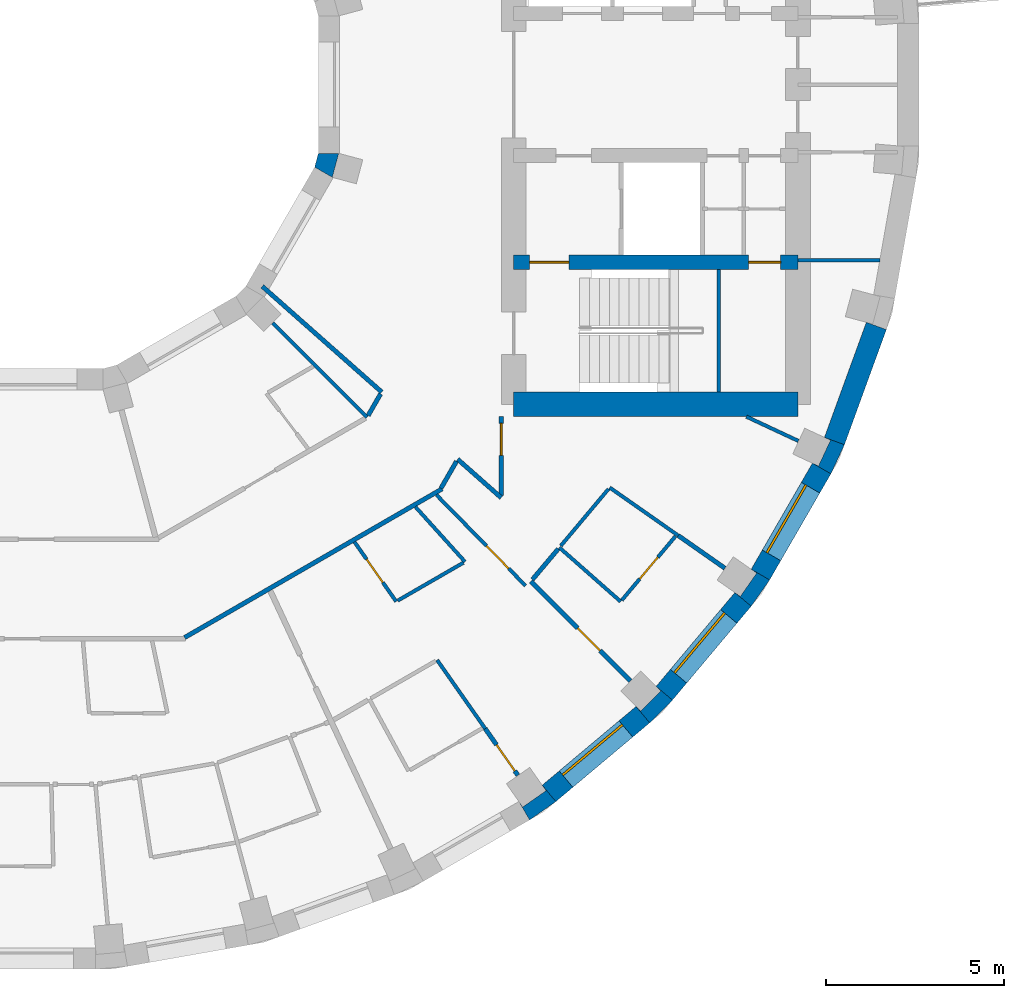
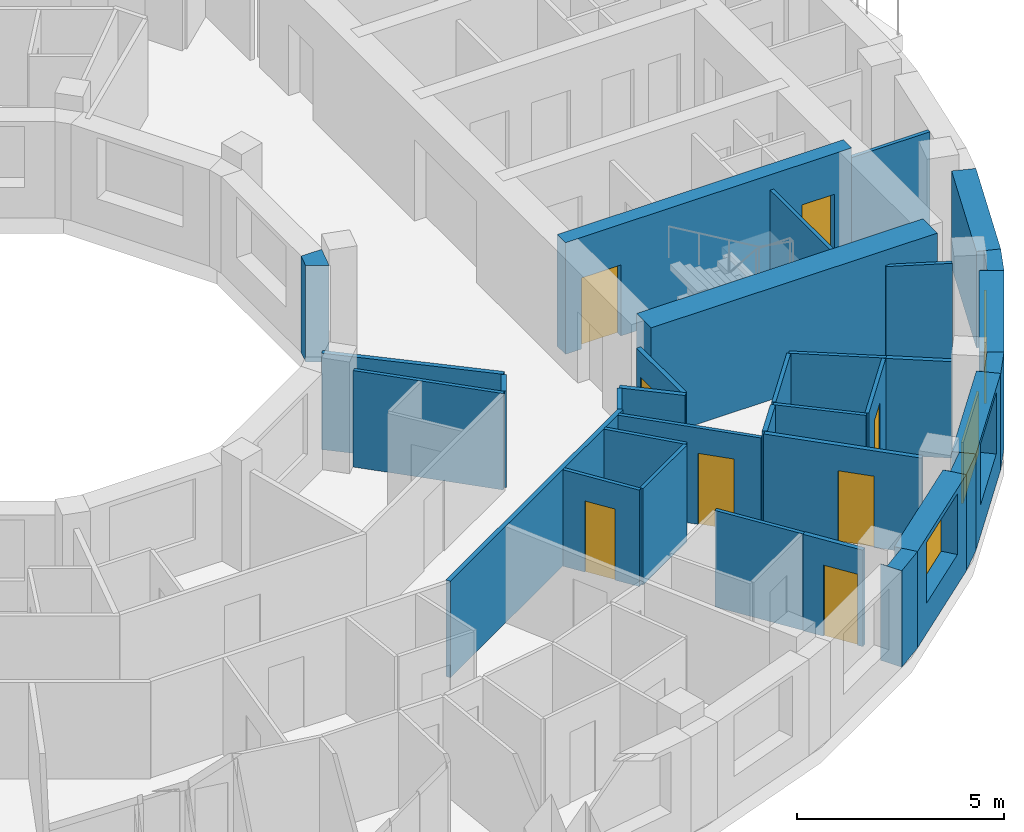
# One storey, part 8 of 15: 34 walls, 8 doors, 3 windows, 11 openings.
"""IFC4 building model written with IfcOpenShell, lengths in metres."""

from ifc_helpers import new_model, si_unit, direction, frame, frame_2d, origin, place, context, subcontext, project, spatial, polyline, rectangle, outline, extrude, material, layer, layer_set, type_object, element, fill, save


model = new_model("IFC4")

# Units and contexts
model_context = context("Model", 3, precision=1e-05, world=origin(), true_north=direction((0.0, 1.0)))
body_context = subcontext(model_context, "Body", "Model", "MODEL_VIEW")
ifc_project = project(units=[si_unit("LENGTHUNIT", "METRE"), si_unit("AREAUNIT", "SQUARE_METRE"), si_unit("VOLUMEUNIT", "CUBIC_METRE"), si_unit("PLANEANGLEUNIT", "RADIAN"), si_unit("MASSUNIT", "GRAM", prefix="KILO")], contexts=[model_context])

# Site, building, storey
site_placement = place(None, origin())
site = spatial("IfcSite", under=ifc_project, at=site_placement, CompositionType="ELEMENT")
building_placement = place(site_placement, origin())
building = spatial("IfcBuilding", under=site, at=building_placement, Name="Saqina Gate Tower", CompositionType="ELEMENT")
storey_placement = place(building_placement, frame((0.0, 0.0, 193.800048828125)))
storey = spatial("IfcBuildingStorey", under=building, at=storey_placement, Name="L55", CompositionType="ELEMENT", Elevation=193.800048828125)

# Walls
ifc_material_1 = material(Name="Brick masonry (buff)", Category="masonry")
wall_type_1 = type_object("IfcWallType", Name="BRICK PIER COPING BUFF", PredefinedType="SOLIDWALL", material=ifc_material_1)
wall_1_placement = place(storey_placement, origin())
element("IfcWall", 1, at=wall_1_placement, inside=storey, type_object=wall_type_1, Name="Pier cap L55 column 31", PredefinedType="SOLIDWALL", context=body_context, shape_type="SweptSolid", body=[
    extrude(outline(polyline([(13.9462890625, -20.705810546875), (14.687255859375, -20.18701171875), (14.301513671875, -19.727294921875), (14.408935546875, -19.880859375), (13.753662109375, -20.339599609375), (13.646240234375, -20.186279296875), (13.9462890625, -20.705810546875)])), origin(), (0.0, 0.0, 1.0), 2.849853515625),
])
wall_2_placement = place(storey_placement, origin())
element("IfcWall", 2, at=wall_2_placement, inside=storey, type_object=wall_type_1, Name="Pier cap L55 column 32", PredefinedType="SOLIDWALL", context=body_context, shape_type="SweptSolid", body=[
    extrude(outline(polyline([(17.969482421875, -17.329833984375), (17.510009765625, -16.944091796875), (17.642333984375, -17.07666015625), (17.07666015625, -17.642333984375), (16.944091796875, -17.510009765625), (17.329833984375, -17.969482421875), (17.969482421875, -17.329833984375)])), origin(), (0.0, 0.0, 1.0), 2.849853515625),
])
wall_3_placement = place(storey_placement, origin())
element("IfcWall", 3, at=wall_3_placement, inside=storey, type_object=wall_type_1, Name="Pier cap L55 column 33", PredefinedType="SOLIDWALL", context=body_context, shape_type="SweptSolid", body=[
    extrude(outline(polyline([(20.18701171875, -14.687255859375), (20.705810546875, -13.9462890625), (20.186279296875, -13.646240234375), (20.339599609375, -13.753662109375), (19.880859375, -14.408935546875), (19.727294921875, -14.301513671875), (20.18701171875, -14.687255859375)])), origin(), (0.0, 0.0, 1.0), 2.849853515625),
])
wall_4_placement = place(storey_placement, origin())
element("IfcWall", 4, at=wall_4_placement, inside=storey, type_object=wall_type_1, Name="Pier cap L55 column 34", PredefinedType="SOLIDWALL", context=body_context, shape_type="SweptSolid", body=[
    extrude(outline(polyline([(22.81298828125, -10.138916015625), (22.249267578125, -9.93359375), (22.4189453125, -10.0126953125), (22.080810546875, -10.73779296875), (21.9111328125, -10.65869140625), (22.4306640625, -10.958740234375), (22.81298828125, -10.138916015625)])), origin(), (0.0, 0.0, 1.0), 2.849853515625),
])
ifc_material_2 = material(Name="Gypsum board on steel studs", Category="steel")
ifc_layer_1 = layer(ifc_material_2, 0.10009765625)
ifc_layer_set_1 = layer_set([ifc_layer_1], Name="CORE PARTITION")
wall_type_2 = type_object("IfcWallType", Name="CORE PARTITION", PredefinedType="PARTITIONING", material=ifc_layer_set_1)
wall_5_placement = place(storey_placement, frame((21.5, -4.949951171875, 0.0), z_axis=(0.0, 0.0, 1.0), x_axis=(1.0, 0.0, 0.0)))
element("IfcWall", 5, at=wall_5_placement, inside=storey, type_object=wall_type_2, Name="L55-CP-E03", PredefinedType="PARTITIONING", context=body_context, shape_type="SweptSolid", body=[
    extrude(rectangle(XDim=2.306884765625, YDim=0.10009765625, at=frame_2d((1.1533203125, 0.0))), origin(), (0.0, 0.0, 1.0), 2.849853515625),
])

# Wall, opening, window
ifc_material_3 = material(Name="Brick masonry (buff)", Category="masonry")
ifc_layer_2 = layer(ifc_material_3, 0.60009765625)
ifc_layer_set_2 = layer_set([ifc_layer_2], Name="FW-BRICK-BUFF")
wall_type_3 = type_object("IfcWallType", Name="FW-BRICK-BUFF", PredefinedType="SOLIDWALL", material=ifc_layer_set_2)
wall_6_placement = place(storey_placement, frame((14.494384765625, -19.95703125, 0.0), z_axis=(0.0, 0.0, 1.0), x_axis=(0.766058884809, 0.642770398358, 0.0)))
wall_6 = element("IfcWall", 6, at=wall_6_placement, inside=storey, type_object=wall_type_3, Name="Facade wall L55 facet 31", PredefinedType="SOLIDWALL", context=body_context, shape_type="SweptSolid", body=[
    extrude(rectangle(XDim=3.449462890625, YDim=0.60009765625, at=frame_2d((1.724609375, 0.0))), origin(), (0.0, 0.0, 1.0), 2.849853515625),
])
opening_1_placement = place(wall_6_placement, frame((0.625, 0.0, 0.89990234375)))
opening_1 = element("IfcOpeningElement", 7, at=opening_1_placement, cuts=wall_6, Name="Opening G16-W20", PredefinedType="OPENING", context=body_context, shape_type="SweptSolid", body=[
    extrude(rectangle(XDim=2.199951171875, YDim=1.800048828125, at=frame_2d((1.10009765625, 0.89990234375))), frame((0.0, 0.31201171875, 0.0), z_axis=(0.0, -1.0, 0.0), x_axis=(1.0, 0.0, 0.0)), (0.0, 0.0, 1.0), 0.6240234375),
])
ifc_material_4 = material(Name="Aluminium glazing", Category="aluminium")
window_type = type_object("IfcWindowType", Name="WN-C", PartitioningType="SINGLE_PANEL", PredefinedType="WINDOW", material=ifc_material_4)
window_1_placement = place(opening_1_placement, origin())
window_1 = element("IfcWindow", 8, at=window_1_placement, inside=storey, type_object=window_type, Name="Window L55 facet 31", OverallHeight=1.800048828125, OverallWidth=2.199951171875, PartitioningType="SINGLE_PANEL", PredefinedType="WINDOW", context=body_context, shape_type="SweptSolid", body=[
    extrude(rectangle(XDim=2.199951171875, YDim=1.800048828125, at=frame_2d((1.10009765625, 0.89990234375))), frame((0.0, 0.179931640625, 0.0), z_axis=(0.0, -1.0, 0.0), x_axis=(1.0, 0.0, 0.0)), (0.0, 0.0, 1.0), 0.06005859375),
])
fill(opening_1, window_1)

wall_7_placement = place(storey_placement, frame((17.73974609375, -17.136962890625, 0.0), z_axis=(0.0, 0.0, 1.0), x_axis=(0.642770398358, 0.766058884809, 0.0)))
wall_7 = element("IfcWall", 9, at=wall_7_placement, inside=storey, type_object=wall_type_3, Name="Facade wall L55 facet 32", PredefinedType="SOLIDWALL", context=body_context, shape_type="SweptSolid", body=[
    extrude(rectangle(XDim=3.449462890625, YDim=0.60009765625, at=frame_2d((1.724609375, 0.0))), origin(), (0.0, 0.0, 1.0), 2.849853515625),
])
opening_2_placement = place(wall_7_placement, frame((0.625, 0.0, 0.89990234375)))
opening_2 = element("IfcOpeningElement", 10, at=opening_2_placement, cuts=wall_7, Name="Opening G16-W21", PredefinedType="OPENING", context=body_context, shape_type="SweptSolid", body=[
    extrude(rectangle(XDim=2.199951171875, YDim=1.800048828125, at=frame_2d((1.10009765625, 0.89990234375))), frame((0.0, 0.31201171875, 0.0), z_axis=(0.0, -1.0, 0.0), x_axis=(1.0, 0.0, 0.0)), (0.0, 0.0, 1.0), 0.6240234375),
])
window_2_placement = place(opening_2_placement, origin())
window_2 = element("IfcWindow", 11, at=window_2_placement, inside=storey, type_object=window_type, Name="Window L55 facet 32", OverallHeight=1.800048828125, OverallWidth=2.199951171875, PartitioningType="SINGLE_PANEL", PredefinedType="WINDOW", context=body_context, shape_type="SweptSolid", body=[
    extrude(rectangle(XDim=2.199951171875, YDim=1.800048828125, at=frame_2d((1.10009765625, 0.89990234375))), frame((0.0, 0.179931640625, 0.0), z_axis=(0.0, -1.0, 0.0), x_axis=(1.0, 0.0, 0.0)), (0.0, 0.0, 1.0), 0.06005859375),
])
fill(opening_2, window_2)

wall_8_placement = place(storey_placement, frame((20.446044921875, -13.796142578125, 0.0), z_axis=(0.0, 0.0, 1.0), x_axis=(0.499998129301, 0.86602648383, 0.0)))
wall_8 = element("IfcWall", 12, at=wall_8_placement, inside=storey, type_object=wall_type_3, Name="Facade wall L55 facet 33", PredefinedType="SOLIDWALL", context=body_context, shape_type="SweptSolid", body=[
    extrude(rectangle(XDim=3.44970703125, YDim=0.60009765625, at=frame_2d((1.724853515625, 0.0))), origin(), (0.0, 0.0, 1.0), 2.849853515625),
])
opening_3_placement = place(wall_8_placement, frame((0.625, 0.0, 0.89990234375)))
opening_3 = element("IfcOpeningElement", 13, at=opening_3_placement, cuts=wall_8, Name="Opening G16-W22", PredefinedType="OPENING", context=body_context, shape_type="SweptSolid", body=[
    extrude(rectangle(XDim=2.199951171875, YDim=1.800048828125, at=frame_2d((1.10009765625, 0.89990234375))), frame((0.0, 0.31201171875, 0.0), z_axis=(0.0, -1.0, 0.0), x_axis=(1.0, 0.0, 0.0)), (0.0, 0.0, 1.0), 0.6240234375),
])
window_3_placement = place(opening_3_placement, origin())
window_3 = element("IfcWindow", 14, at=window_3_placement, inside=storey, type_object=window_type, Name="Window L55 facet 33", OverallHeight=1.800048828125, OverallWidth=2.199951171875, PartitioningType="SINGLE_PANEL", PredefinedType="WINDOW", context=body_context, shape_type="SweptSolid", body=[
    extrude(rectangle(XDim=2.199951171875, YDim=1.800048828125, at=frame_2d((1.10009765625, 0.89990234375))), frame((0.0, 0.179931640625, 0.0), z_axis=(0.0, -1.0, 0.0), x_axis=(1.0, 0.0, 0.0)), (0.0, 0.0, 1.0), 0.06005859375),
])
fill(opening_3, window_3)

# Walls
ifc_material_5 = material(Name="Glazed ceramic tile", Category="ceramic")
ifc_layer_3 = layer(ifc_material_5, 0.60009765625)
ifc_layer_set_3 = layer_set([ifc_layer_3], Name="FW-TILE")
wall_type_4 = type_object("IfcWallType", Name="FW-TILE", PredefinedType="SOLIDWALL", material=ifc_layer_set_3)
wall_9_placement = place(storey_placement, frame((22.531005859375, -10.0361328125, 0.0), z_axis=(0.0, 0.0, 1.0), x_axis=(0.342032843455, 0.93968799822, 0.0)))
element("IfcWall", 15, at=wall_9_placement, inside=storey, type_object=wall_type_4, Name="Facade wall L55 facet 34", PredefinedType="SOLIDWALL", context=body_context, shape_type="SweptSolid", body=[
    extrude(rectangle(XDim=3.44970703125, YDim=0.60009765625, at=frame_2d((1.724853515625, 0.0))), origin(), (0.0, 0.0, 1.0), 2.849853515625),
])
ifc_material_6 = material(Name="Gypsum board on steel studs, 100 mm", Category="steel")
ifc_layer_4 = layer(ifc_material_6, 0.10009765625)
ifc_layer_set_4 = layer_set([ifc_layer_4], Name="PARTITION 100")
wall_type_5 = type_object("IfcWallType", Name="PARTITION 100", PredefinedType="PARTITIONING", material=ifc_layer_set_4)
wall_10_placement = place(storey_placement, frame((11.344970703125, -16.202880859375, 0.0), z_axis=(0.0, 0.0, 1.0), x_axis=(0.573823443789, -0.818979032307, 0.0)))
element("IfcWall", 16, at=wall_10_placement, inside=storey, type_object=wall_type_5, Name="PARTITION PW3-17", PredefinedType="PARTITIONING", context=body_context, shape_type="SweptSolid", body=[
    extrude(rectangle(XDim=2.359130859375, YDim=0.10009765625, at=frame_2d((1.1796875, 0.0))), origin(), (0.0, 0.0, 1.0), 2.849853515625),
])

# Wall, opening, door
wall_11_placement = place(storey_placement, frame((9.018798828125, -12.8798828125, 0.0), z_axis=(0.0, 0.0, 1.0), x_axis=(0.573550536535, -0.819170178925, 0.0)))
wall_11 = element("IfcWall", 17, at=wall_11_placement, inside=storey, type_object=wall_type_5, Name="PARTITION PW3-19", PredefinedType="PARTITIONING", context=body_context, shape_type="SweptSolid", body=[
    extrude(rectangle(XDim=2.043701171875, YDim=0.10009765625, at=frame_2d((1.02197265625, 0.0))), origin(), (0.0, 0.0, 1.0), 2.849853515625),
])
opening_4_placement = place(wall_11_placement, frame((0.589599609375, 0.0, 0.0)))
opening_4 = element("IfcOpeningElement", 18, at=opening_4_placement, cuts=wall_11, Name="Opening G16-D56", PredefinedType="OPENING", context=body_context, shape_type="SweptSolid", body=[
    extrude(rectangle(XDim=0.800048828125, YDim=2.10009765625, at=frame_2d((0.39990234375, 1.050048828125))), frame((0.0, 0.06201171875, 0.0), z_axis=(0.0, -1.0, 0.0), x_axis=(1.0, 0.0, 0.0)), (0.0, 0.0, 1.0), 0.1240234375),
])
ifc_material_7 = material(Name="Timber door leaf, 800 mm", Category="wood")
door_type_1 = type_object("IfcDoorType", Name="DOOR 800 TIMBER", OperationType="SINGLE_SWING_LEFT", PredefinedType="DOOR", material=ifc_material_7)
door_1_placement = place(opening_4_placement, frame((0.800048828125, 0.0, 0.0), z_axis=(0.0, 0.0, 1.0), x_axis=(-1.0, 0.0, 0.0)))
door_1 = element("IfcDoor", 19, at=door_1_placement, inside=storey, type_object=door_type_1, Name="DOOR G16-D56", OperationType="SINGLE_SWING_RIGHT", OverallHeight=2.10009765625, OverallWidth=0.800048828125, PredefinedType="DOOR", context=body_context, shape_type="SweptSolid", body=[
    extrude(rectangle(XDim=0.800048828125, YDim=2.10009765625, at=frame_2d((0.39990234375, 1.050048828125))), frame((0.0, 0.02490234375, 0.0), z_axis=(0.0, -1.0, 0.0), x_axis=(1.0, 0.0, 0.0)), (0.0, 0.0, 1.0), 0.050048828125),
])
fill(opening_4, door_1)

# Wall
wall_12_placement = place(storey_placement, frame((10.732177734375, -11.8876953125, 0.0), z_axis=(0.0, 0.0, 1.0), x_axis=(0.670051109138, -0.742314967613, 0.0)))
element("IfcWall", 20, at=wall_12_placement, inside=storey, type_object=wall_type_5, Name="PARTITION PW3-25", PredefinedType="PARTITIONING", context=body_context, shape_type="SweptSolid", body=[
    extrude(rectangle(XDim=2.08447265625, YDim=0.10009765625, at=frame_2d((1.042236328125, 0.0))), origin(), (0.0, 0.0, 1.0), 2.849853515625),
])

# Wall, opening, door
wall_13_placement = place(storey_placement, frame((11.320556640625, -11.54736328125, 0.0), z_axis=(0.0, 0.0, 1.0), x_axis=(0.700209333058, -0.713937595241, 0.0)))
wall_13 = element("IfcWall", 21, at=wall_13_placement, inside=storey, type_object=wall_type_5, Name="PARTITION PW3-26", PredefinedType="PARTITIONING", context=body_context, shape_type="SweptSolid", body=[
    extrude(rectangle(XDim=3.59228515625, YDim=0.10009765625, at=frame_2d((1.796142578125, 0.0))), origin(), (0.0, 0.0, 1.0), 2.849853515625),
])
opening_5_placement = place(wall_13_placement, frame((2.01416015625, 0.0, 0.0)))
opening_5 = element("IfcOpeningElement", 22, at=opening_5_placement, cuts=wall_13, Name="Opening G16-D59", PredefinedType="OPENING", context=body_context, shape_type="SweptSolid", body=[
    extrude(rectangle(XDim=0.89990234375, YDim=2.10009765625, at=frame_2d((0.449951171875, 1.050048828125))), frame((0.0, 0.06201171875, 0.0), z_axis=(0.0, -1.0, 0.0), x_axis=(1.0, 0.0, 0.0)), (0.0, 0.0, 1.0), 0.1240234375),
])
ifc_material_8 = material(Name="Timber door leaf, 900 mm", Category="wood")
door_type_2 = type_object("IfcDoorType", Name="DOOR 900 TIMBER", OperationType="SINGLE_SWING_LEFT", PredefinedType="DOOR", material=ifc_material_8)
door_2_placement = place(opening_5_placement, frame((0.89990234375, 0.0, 0.0), z_axis=(0.0, 0.0, 1.0), x_axis=(-1.0, 0.0, 0.0)))
door_2 = element("IfcDoor", 23, at=door_2_placement, inside=storey, type_object=door_type_2, Name="DOOR G16-D59", OperationType="SINGLE_SWING_RIGHT", OverallHeight=2.10009765625, OverallWidth=0.89990234375, PredefinedType="DOOR", context=body_context, shape_type="SweptSolid", body=[
    extrude(rectangle(XDim=0.89990234375, YDim=2.10009765625, at=frame_2d((0.449951171875, 1.050048828125))), frame((0.0, 0.02490234375, 0.0), z_axis=(0.0, -1.0, 0.0), x_axis=(1.0, 0.0, 0.0)), (0.0, 0.0, 1.0), 0.050048828125),
])
fill(opening_5, door_2)

# Walls
wall_14_placement = place(storey_placement, frame((6.7119140625, -6.7119140625, 0.0), z_axis=(0.0, 0.0, 1.0), x_axis=(0.707106781187, -0.707106781187, 0.0)))
element("IfcWall", 24, at=wall_14_placement, inside=storey, type_object=wall_type_5, Name="PARTITION PW3-28", PredefinedType="PARTITIONING", context=body_context, shape_type="SweptSolid", body=[
    extrude(rectangle(XDim=3.75927734375, YDim=0.10009765625, at=frame_2d((1.879638671875, 0.0))), origin(), (0.0, 0.0, 1.0), 2.849853515625),
])
wall_15_placement = place(storey_placement, frame((14.785888671875, -13.033935546875, 0.0), z_axis=(0.0, 0.0, 1.0), x_axis=(0.750060726962, -0.661368963491, 0.0)))
element("IfcWall", 25, at=wall_15_placement, inside=storey, type_object=wall_type_5, Name="PARTITION PW3-30", PredefinedType="PARTITIONING", context=body_context, shape_type="SweptSolid", body=[
    extrude(rectangle(XDim=2.30126953125, YDim=0.10009765625, at=frame_2d((1.150634765625, 0.0))), origin(), (0.0, 0.0, 1.0), 2.849853515625),
])
wall_16_placement = place(storey_placement, frame((16.202392578125, -11.345703125, 0.0), z_axis=(0.0, 0.0, 1.0), x_axis=(0.81919302467, -0.573517905851, 0.0)))
element("IfcWall", 26, at=wall_16_placement, inside=storey, type_object=wall_type_5, Name="PARTITION PW3-36", PredefinedType="PARTITIONING", context=body_context, shape_type="SweptSolid", body=[
    extrude(rectangle(XDim=2.359130859375, YDim=0.10009765625, at=frame_2d((1.1796875, 0.0))), origin(), (0.0, 0.0, 1.0), 2.849853515625),
])
wall_17_placement = place(storey_placement, frame((20.052978515625, -9.35009765625, 0.0), z_axis=(0.0, 0.0, 1.0), x_axis=(0.906055596822, -0.423158664648, 0.0)))
element("IfcWall", 27, at=wall_17_placement, inside=storey, type_object=wall_type_5, Name="PARTITION PW3-42", PredefinedType="PARTITIONING", context=body_context, shape_type="SweptSolid", body=[
    extrude(rectangle(XDim=1.6142578125, YDim=0.10009765625, at=frame_2d((0.80712890625, 0.0))), origin(), (0.0, 0.0, 1.0), 2.849853515625),
])
wall_18_placement = place(storey_placement, frame((10.236083984375, -14.528076171875, 0.0), z_axis=(0.0, 0.0, 1.0), x_axis=(0.865995020583, 0.500052621557, 0.0)))
element("IfcWall", 28, at=wall_18_placement, inside=storey, type_object=wall_type_5, Name="PARTITION PW3-69", PredefinedType="PARTITIONING", context=body_context, shape_type="SweptSolid", body=[
    extrude(rectangle(XDim=2.133544921875, YDim=0.10009765625, at=frame_2d((1.06689453125, 0.0))), origin(), (0.0, 0.0, 1.0), 2.849853515625),
])

# Wall, opening, door
wall_19_placement = place(storey_placement, frame((16.544189453125, -14.517578125, 0.0), z_axis=(0.0, 0.0, 1.0), x_axis=(0.642675237257, 0.76613872074, 0.0)))
wall_19 = element("IfcWall", 29, at=wall_19_placement, inside=storey, type_object=wall_type_5, Name="PARTITION PW3-81", PredefinedType="PARTITIONING", context=body_context, shape_type="SweptSolid", body=[
    extrude(rectangle(XDim=2.34912109375, YDim=0.10009765625, at=frame_2d((1.174560546875, 0.0))), origin(), (0.0, 0.0, 1.0), 2.849853515625),
])
opening_6_placement = place(wall_19_placement, frame((0.78076171875, 0.0, 0.0)))
opening_6 = element("IfcOpeningElement", 30, at=opening_6_placement, cuts=wall_19, Name="Opening G16-D61", PredefinedType="OPENING", context=body_context, shape_type="SweptSolid", body=[
    extrude(rectangle(XDim=0.800048828125, YDim=2.10009765625, at=frame_2d((0.39990234375, 1.050048828125))), frame((0.0, 0.06201171875, 0.0), z_axis=(0.0, -1.0, 0.0), x_axis=(1.0, 0.0, 0.0)), (0.0, 0.0, 1.0), 0.1240234375),
])
door_3_placement = place(opening_6_placement, frame((0.800048828125, 0.0, 0.0), z_axis=(0.0, 0.0, 1.0), x_axis=(-1.0, 0.0, 0.0)))
door_3 = element("IfcDoor", 31, at=door_3_placement, inside=storey, type_object=door_type_1, Name="DOOR G16-D61", OperationType="SINGLE_SWING_LEFT", OverallHeight=2.10009765625, OverallWidth=0.800048828125, PredefinedType="DOOR", context=body_context, shape_type="SweptSolid", body=[
    extrude(rectangle(XDim=0.800048828125, YDim=2.10009765625, at=frame_2d((0.39990234375, 1.050048828125))), frame((0.0, 0.02490234375, 0.0), z_axis=(0.0, -1.0, 0.0), x_axis=(1.0, 0.0, 0.0)), (0.0, 0.0, 1.0), 0.050048828125),
])
fill(opening_6, door_3)

# Wall
wall_20_placement = place(storey_placement, frame((14.826171875, -12.986083984375, 0.0), z_axis=(0.0, 0.0, 1.0), x_axis=(0.642720670629, 0.766100606674, 0.0)))
element("IfcWall", 32, at=wall_20_placement, inside=storey, type_object=wall_type_5, Name="PARTITION PW3-82", PredefinedType="PARTITIONING", context=body_context, shape_type="SweptSolid", body=[
    extrude(rectangle(XDim=2.089599609375, YDim=0.10009765625, at=frame_2d((1.044921875, 0.0))), origin(), (0.0, 0.0, 1.0), 2.849853515625),
])

# Wall, opening, door
ifc_material_9 = material(Name="Gypsum board on steel studs, 125 mm, fire rated", Category="steel")
ifc_layer_5 = layer(ifc_material_9, 0.125)
ifc_layer_set_5 = layer_set([ifc_layer_5], Name="PARTITION EI 30 125")
wall_type_6 = type_object("IfcWallType", Name="PARTITION EI 30 125", PredefinedType="PARTITIONING", material=ifc_layer_set_5)
wall_21_placement = place(storey_placement, frame((12.69873046875, -18.135009765625, 0.0), z_axis=(0.0, 0.0, 1.0), x_axis=(0.57352374907, -0.819188933795, 0.0)))
wall_21 = element("IfcWall", 33, at=wall_21_placement, inside=storey, type_object=wall_type_6, Name="PARTITION PW1-05", PredefinedType="PARTITIONING", context=body_context, shape_type="SweptSolid", body=[
    extrude(rectangle(XDim=1.60107421875, YDim=0.125, at=frame_2d((0.800537109375, 0.0))), origin(), (0.0, 0.0, 1.0), 2.849853515625),
])
opening_7_placement = place(wall_21_placement, frame((0.552734375, 0.0, 0.0)))
opening_7 = element("IfcOpeningElement", 34, at=opening_7_placement, cuts=wall_21, Name="Opening G16-D57", PredefinedType="OPENING", context=body_context, shape_type="SweptSolid", body=[
    extrude(rectangle(XDim=0.89990234375, YDim=2.10009765625, at=frame_2d((0.449951171875, 1.050048828125))), frame((0.0, 0.074462890625, 0.0), z_axis=(0.0, -1.0, 0.0), x_axis=(1.0, 0.0, 0.0)), (0.0, 0.0, 1.0), 0.14892578125),
])
ifc_material_10 = material(Name="Fire door leaf EI 30, 900 mm")
door_type_3 = type_object("IfcDoorType", Name="DOOR 900 EI 30", OperationType="SINGLE_SWING_LEFT", PredefinedType="DOOR", material=ifc_material_10)
door_4_placement = place(opening_7_placement, origin())
door_4 = element("IfcDoor", 35, at=door_4_placement, inside=storey, type_object=door_type_3, Name="DOOR G16-D57", OperationType="SINGLE_SWING_RIGHT", OverallHeight=2.10009765625, OverallWidth=0.89990234375, PredefinedType="DOOR", context=body_context, shape_type="SweptSolid", body=[
    extrude(rectangle(XDim=0.89990234375, YDim=2.10009765625, at=frame_2d((0.449951171875, 1.050048828125))), frame((0.0, 0.02490234375, 0.0), z_axis=(0.0, -1.0, 0.0), x_axis=(1.0, 0.0, 0.0)), (0.0, 0.0, 1.0), 0.050048828125),
])
fill(opening_7, door_4)

wall_22_placement = place(storey_placement, frame((13.987060546875, -13.987060546875, 0.0), z_axis=(0.0, 0.0, 1.0), x_axis=(0.707106781187, -0.707106781187, 0.0)))
wall_22 = element("IfcWall", 36, at=wall_22_placement, inside=storey, type_object=wall_type_6, Name="PARTITION PW1-06", PredefinedType="PARTITIONING", context=body_context, shape_type="SweptSolid", body=[
    extrude(rectangle(XDim=3.959228515625, YDim=0.125, at=frame_2d((1.9794921875, 0.0))), origin(), (0.0, 0.0, 1.0), 2.849853515625),
])
opening_8_placement = place(wall_22_placement, frame((1.858642578125, 0.0, 0.0)))
opening_8 = element("IfcOpeningElement", 37, at=opening_8_placement, cuts=wall_22, Name="Opening G16-D60", PredefinedType="OPENING", context=body_context, shape_type="SweptSolid", body=[
    extrude(rectangle(XDim=0.89990234375, YDim=2.10009765625, at=frame_2d((0.449951171875, 1.050048828125))), frame((0.0, 0.074462890625, 0.0), z_axis=(0.0, -1.0, 0.0), x_axis=(1.0, 0.0, 0.0)), (0.0, 0.0, 1.0), 0.14892578125),
])
door_5_placement = place(opening_8_placement, frame((0.89990234375, 0.0, 0.0), z_axis=(0.0, 0.0, 1.0), x_axis=(-1.0, 0.0, 0.0)))
door_5 = element("IfcDoor", 38, at=door_5_placement, inside=storey, type_object=door_type_3, Name="DOOR G16-D60", OperationType="SINGLE_SWING_LEFT", OverallHeight=2.10009765625, OverallWidth=0.89990234375, PredefinedType="DOOR", context=body_context, shape_type="SweptSolid", body=[
    extrude(rectangle(XDim=0.89990234375, YDim=2.10009765625, at=frame_2d((0.449951171875, 1.050048828125))), frame((0.0, 0.02490234375, 0.0), z_axis=(0.0, -1.0, 0.0), x_axis=(1.0, 0.0, 0.0)), (0.0, 0.0, 1.0), 0.050048828125),
])
fill(opening_8, door_5)

# Walls
wall_23_placement = place(storey_placement, frame((11.923095703125, -10.549072265625, 0.0), z_axis=(0.0, 0.0, 1.0), x_axis=(0.749253207289, -0.662283648724, 0.0)))
element("IfcWall", 39, at=wall_23_placement, inside=storey, type_object=wall_type_6, Name="PARTITION PW1-07", PredefinedType="PARTITIONING", context=body_context, shape_type="SweptSolid", body=[
    extrude(rectangle(XDim=1.6337890625, YDim=0.125, at=frame_2d((0.81689453125, 0.0))), origin(), (0.0, 0.0, 1.0), 2.849853515625),
])
wall_24_placement = place(storey_placement, frame((6.419921875, -5.679931640625, 0.0), z_axis=(0.0, 0.0, 1.0), x_axis=(0.748958163245, -0.662617287511, 0.0)))
element("IfcWall", 40, at=wall_24_placement, inside=storey, type_object=wall_type_6, Name="PARTITION PW1-10", PredefinedType="PARTITIONING", context=body_context, shape_type="SweptSolid", body=[
    extrude(rectangle(XDim=4.490234375, YDim=0.125, at=frame_2d((2.2451171875, 0.0))), origin(), (0.0, 0.0, 1.0), 2.849853515625),
])
wall_25_placement = place(storey_placement, frame((18.135009765625, -12.69873046875, 0.0), z_axis=(0.0, 0.0, 1.0), x_axis=(0.819188933795, -0.57352374907, 0.0)))
element("IfcWall", 41, at=wall_25_placement, inside=storey, type_object=wall_type_6, Name="PARTITION PW1-12", PredefinedType="PARTITIONING", context=body_context, shape_type="SweptSolid", body=[
    extrude(rectangle(XDim=1.60107421875, YDim=0.125, at=frame_2d((0.800537109375, 0.0))), origin(), (0.0, 0.0, 1.0), 2.849853515625),
])
wall_26_placement = place(storey_placement, frame((4.234130859375, -15.56884765625, 0.0), z_axis=(0.0, 0.0, 1.0), x_axis=(0.866024799292, 0.50000104701, 0.0)))
element("IfcWall", 42, at=wall_26_placement, inside=storey, type_object=wall_type_6, Name="PARTITION PW1-33", PredefinedType="PARTITIONING", context=body_context, shape_type="SweptSolid", body=[
    extrude(rectangle(XDim=8.36962890625, YDim=0.125, at=frame_2d((4.184814453125, 0.0))), origin(), (0.0, 0.0, 1.0), 2.849853515625),
])
wall_27_placement = place(storey_placement, frame((14.026123046875, -13.9365234375, 0.0), z_axis=(0.0, 0.0, 1.0), x_axis=(0.644129091811, 0.764916801412, 0.0)))
element("IfcWall", 43, at=wall_27_placement, inside=storey, type_object=wall_type_6, Name="PARTITION PW1-43", PredefinedType="PARTITIONING", context=body_context, shape_type="SweptSolid", body=[
    extrude(rectangle(XDim=1.1298828125, YDim=0.125, at=frame_2d((0.56494140625, 0.0))), origin(), (0.0, 0.0, 1.0), 2.849853515625),
])
wall_28_placement = place(storey_placement, frame((11.451171875, -11.365966796875, 0.0), z_axis=(0.0, 0.0, 1.0), x_axis=(0.500018690203, 0.866014612722, 0.0)))
element("IfcWall", 44, at=wall_28_placement, inside=storey, type_object=wall_type_6, Name="PARTITION PW1-46", PredefinedType="PARTITIONING", context=body_context, shape_type="SweptSolid", body=[
    extrude(rectangle(XDim=0.8798828125, YDim=0.125, at=frame_2d((0.43994140625, 0.0))), origin(), (0.0, 0.0, 1.0), 2.849853515625),
])
wall_29_placement = place(storey_placement, frame((9.4013671875, -9.31591796875, 0.0), z_axis=(0.0, 0.0, 1.0), x_axis=(0.500074377092, 0.865982457891, 0.0)))
element("IfcWall", 45, at=wall_29_placement, inside=storey, type_object=wall_type_6, Name="PARTITION PW1-47", PredefinedType="PARTITIONING", context=body_context, shape_type="SweptSolid", body=[
    extrude(rectangle(XDim=0.70068359375, YDim=0.125, at=frame_2d((0.350341796875, 0.0))), origin(), (0.0, 0.0, 1.0), 2.849853515625),
])

# Wall, opening, door
wall_30_placement = place(storey_placement, frame((13.14990234375, -11.5673828125, 0.0), z_axis=(0.0, 0.0, 1.0), x_axis=(0.0, 1.0, 0.0)))
wall_30 = element("IfcWall", 46, at=wall_30_placement, inside=storey, type_object=wall_type_6, Name="PARTITION PW1-50", PredefinedType="PARTITIONING", context=body_context, shape_type="SweptSolid", body=[
    extrude(rectangle(XDim=2.21630859375, YDim=0.125, at=frame_2d((1.108154296875, 0.0))), origin(), (0.0, 0.0, 1.0), 2.849853515625),
])
opening_9_placement = place(wall_30_placement, frame((1.126953125, 0.0, 0.0)))
opening_9 = element("IfcOpeningElement", 47, at=opening_9_placement, cuts=wall_30, Name="Opening G16-D62", PredefinedType="OPENING", context=body_context, shape_type="SweptSolid", body=[
    extrude(rectangle(XDim=0.89990234375, YDim=2.10009765625, at=frame_2d((0.449951171875, 1.050048828125))), frame((0.0, 0.074462890625, 0.0), z_axis=(0.0, -1.0, 0.0), x_axis=(1.0, 0.0, 0.0)), (0.0, 0.0, 1.0), 0.14892578125),
])
door_6_placement = place(opening_9_placement, frame((0.89990234375, 0.0, 0.0), z_axis=(0.0, 0.0, 1.0), x_axis=(-1.0, 0.0, 0.0)))
door_6 = element("IfcDoor", 48, at=door_6_placement, inside=storey, type_object=door_type_3, Name="DOOR G16-D62", OperationType="SINGLE_SWING_LEFT", OverallHeight=2.10009765625, OverallWidth=0.89990234375, PredefinedType="DOOR", context=body_context, shape_type="SweptSolid", body=[
    extrude(rectangle(XDim=0.89990234375, YDim=2.10009765625, at=frame_2d((0.449951171875, 1.050048828125))), frame((0.0, 0.02490234375, 0.0), z_axis=(0.0, -1.0, 0.0), x_axis=(1.0, 0.0, 0.0)), (0.0, 0.0, 1.0), 0.050048828125),
])
fill(opening_9, door_6)

# Wall
ifc_material_11 = material(Name="Autoclaved aerated concrete block", Category="concrete")
ifc_layer_6 = layer(ifc_material_11, 0.10009765625)
ifc_layer_set_6 = layer_set([ifc_layer_6], Name="STAIR ENCLOSURE WALL")
wall_type_7 = type_object("IfcWallType", Name="STAIR ENCLOSURE WALL", PredefinedType="PARTITIONING", material=ifc_layer_set_6)
wall_31_placement = place(storey_placement, frame((19.27001953125, -8.64990234375, 0.0), z_axis=(0.0, 0.0, 1.0), x_axis=(0.0, 1.0, 0.0)))
element("IfcWall", 49, at=wall_31_placement, inside=storey, type_object=wall_type_7, Name="L55-CP-E17", PredefinedType="PARTITIONING", context=body_context, shape_type="SweptSolid", body=[
    extrude(rectangle(XDim=3.449951171875, YDim=0.10009765625, at=frame_2d((1.72509765625, 0.0))), origin(), (0.0, 0.0, 1.0), 2.849853515625),
])

# Wall, openings, doors
ifc_material_12 = material(Name="Concrete C60/75", Category="concrete")
ifc_layer_7 = layer(ifc_material_12, 0.39990234375)
ifc_layer_set_7 = layer_set([ifc_layer_7], Name="Concrete C60/75")
wall_type_8 = type_object("IfcWallType", Name="STR-CORE WALL-C-I", PredefinedType="SHEAR", material=ifc_layer_set_7)
wall_32_placement = place(storey_placement, frame((13.5, -5.0, 0.0), z_axis=(0.0, 0.0, 1.0), x_axis=(1.0, 0.0, 0.0)))
wall_32 = element("IfcWall", 50, at=wall_32_placement, inside=storey, type_object=wall_type_8, Name="CORE WALL L55 E-X2", PredefinedType="SHEAR", context=body_context, shape_type="SweptSolid", body=[
    extrude(rectangle(XDim=8.0, YDim=0.39990234375, at=frame_2d((4.0, 0.0))), origin(), (0.0, 0.0, 1.0), 3.300048828125),
])
opening_10_placement = place(wall_32_placement, frame((6.614990234375, 0.0, 0.0)))
opening_10 = element("IfcOpeningElement", 51, at=opening_10_placement, cuts=wall_32, Name="Opening G16-D104", PredefinedType="OPENING", context=body_context, shape_type="SweptSolid", body=[
    extrude(rectangle(XDim=0.89990234375, YDim=2.10009765625, at=frame_2d((0.449951171875, 1.050048828125))), frame((0.0, 0.2119140625, 0.0), z_axis=(0.0, -1.0, 0.0), x_axis=(1.0, 0.0, 0.0)), (0.0, 0.0, 1.0), 0.423828125),
])
opening_11_placement = place(wall_32_placement, frame((0.449951171875, 0.0, 0.0)))
opening_11 = element("IfcOpeningElement", 52, at=opening_11_placement, cuts=wall_32, Name="Opening G16-D105", PredefinedType="OPENING", context=body_context, shape_type="SweptSolid", body=[
    extrude(rectangle(XDim=1.10009765625, YDim=2.10009765625, at=frame_2d((0.550048828125, 1.050048828125))), frame((0.0, 0.2119140625, 0.0), z_axis=(0.0, -1.0, 0.0), x_axis=(1.0, 0.0, 0.0)), (0.0, 0.0, 1.0), 0.423828125),
])
ifc_material_13 = material(Name="Steel", Category="steel")
door_type_4 = type_object("IfcDoorType", Name="FIRE LOBBY DOOR EI 60 WIDE", OperationType="SINGLE_SWING_LEFT", PredefinedType="DOOR", material=ifc_material_13)
door_7_placement = place(opening_11_placement, frame((1.10009765625, 0.0, 0.0), z_axis=(0.0, 0.0, 1.0), x_axis=(-1.0, 0.0, 0.0)))
door_7 = element("IfcDoor", 53, at=door_7_placement, inside=storey, type_object=door_type_4, Name="L55-CD-E16", OperationType="SINGLE_SWING_RIGHT", OverallHeight=2.10009765625, OverallWidth=1.10009765625, PredefinedType="DOOR", context=body_context, shape_type="SweptSolid", body=[
    extrude(rectangle(XDim=1.10009765625, YDim=2.10009765625, at=frame_2d((0.550048828125, 1.050048828125))), frame((0.0, 0.02490234375, 0.0), z_axis=(0.0, -1.0, 0.0), x_axis=(1.0, 0.0, 0.0)), (0.0, 0.0, 1.0), 0.050048828125),
])
fill(opening_11, door_7)
ifc_material_14 = material(Name="Steel-framed fire door leaf, EI 60", Category="steel")
door_type_5 = type_object("IfcDoorType", Name="SERVICE ROOM DOOR 900", OperationType="SINGLE_SWING_LEFT", PredefinedType="DOOR", material=ifc_material_14)
door_8_placement = place(opening_10_placement, frame((0.89990234375, 0.0, 0.0), z_axis=(0.0, 0.0, 1.0), x_axis=(-1.0, 0.0, 0.0)))
door_8 = element("IfcDoor", 54, at=door_8_placement, inside=storey, type_object=door_type_5, Name="L55-CD-E15", OperationType="SINGLE_SWING_LEFT", OverallHeight=2.10009765625, OverallWidth=0.89990234375, PredefinedType="DOOR", context=body_context, shape_type="SweptSolid", body=[
    extrude(rectangle(XDim=0.89990234375, YDim=2.10009765625, at=frame_2d((0.449951171875, 1.050048828125))), frame((0.0, 0.02490234375, 0.0), z_axis=(0.0, -1.0, 0.0), x_axis=(1.0, 0.0, 0.0)), (0.0, 0.0, 1.0), 0.050048828125),
])
fill(opening_10, door_8)

# Walls
ifc_material_15 = material(Name="Concrete C60/75", Category="concrete")
ifc_layer_8 = layer(ifc_material_15, 0.699951171875)
ifc_layer_set_8 = layer_set([ifc_layer_8], Name="Concrete C60/75")
wall_type_9 = type_object("IfcWallType", Name="STR-CORE WALL-C-O", PredefinedType="SHEAR", material=ifc_layer_set_8)
wall_33_placement = place(storey_placement, frame((13.5, -9.0, 0.0), z_axis=(0.0, 0.0, 1.0), x_axis=(1.0, 0.0, 0.0)))
element("IfcWall", 55, at=wall_33_placement, inside=storey, type_object=wall_type_9, Name="CORE WALL L55 E-SE", PredefinedType="SHEAR", context=body_context, shape_type="SweptSolid", body=[
    extrude(rectangle(XDim=8.0, YDim=0.699951171875, at=frame_2d((4.0, 0.0))), origin(), (0.0, 0.0, 1.0), 3.300048828125),
])
ifc_material_16 = material(Name="Glazed ceramic tile", Category="ceramic")
wall_type_10 = type_object("IfcWallType", Name="TILE PIER COPING", PredefinedType="SOLIDWALL", material=ifc_material_16)
wall_34_placement = place(storey_placement, origin())
element("IfcWall", 56, at=wall_34_placement, inside=storey, type_object=wall_type_10, Name="Well pier cap L55 column 12", PredefinedType="SOLIDWALL", context=body_context, shape_type="SweptSolid", body=[
    extrude(outline(polyline([(8.573486328125, -1.934814453125), (8.0, -1.934814453125), (7.895751953125, -2.32421875), (8.392333984375, -2.611083984375), (8.573486328125, -1.934814453125)])), origin(), (0.0, 0.0, 1.0), 2.849853515625),
])

save(model, "model.ifc")
